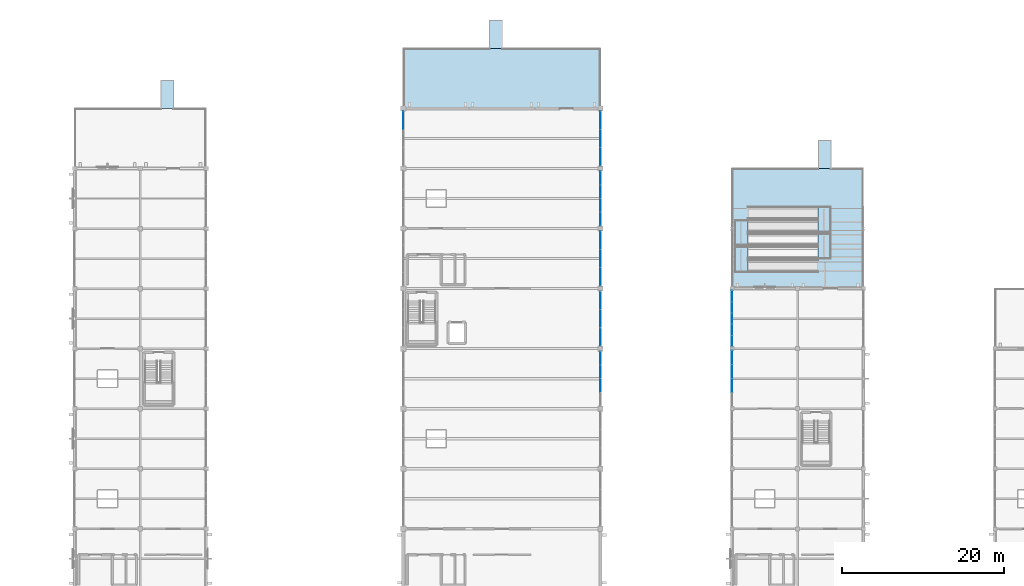
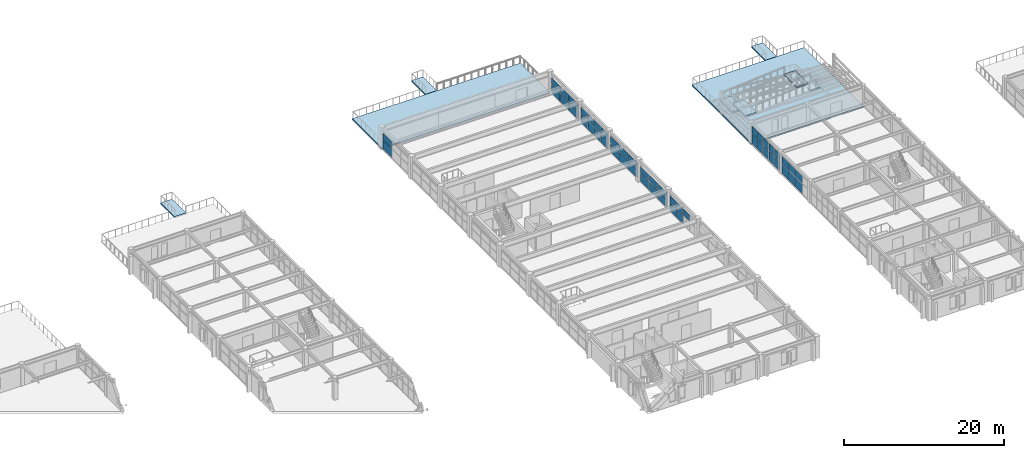
# One storey, part 75 of 93: 49 plates, 9 slabs, 8 elements without a shape of their own.
"""IFC4 building model written with IfcOpenShell, lengths in metres."""

from ifc_helpers import new_model, si_unit, direction, frame, origin, origin_2d, place, context, subcontext, project, spatial, polyline, rectangle, outline, extrude, material, layer, layer_set, type_object, element, aggregate, save


model = new_model("IFC4")

# Units and contexts
model_context = context("Model", 3, precision=1e-05, world=origin(), true_north=direction((0.0, 1.0)))
body_context = subcontext(model_context, "Body", "Model", "MODEL_VIEW")
ifc_project = project(units=[si_unit("LENGTHUNIT", "METRE"), si_unit("AREAUNIT", "SQUARE_METRE"), si_unit("VOLUMEUNIT", "CUBIC_METRE"), si_unit("PLANEANGLEUNIT", "RADIAN"), si_unit("MASSUNIT", "GRAM", prefix="KILO")], contexts=[model_context])

# Site, building, storey
site_placement = place(None, origin())
site = spatial("IfcSite", under=ifc_project, at=site_placement, CompositionType="ELEMENT")
building_placement = place(site_placement, origin())
building = spatial("IfcBuilding", under=site, at=building_placement, Name="Cimatlan Art Gallery", CompositionType="ELEMENT")
storey_placement = place(building_placement, frame((0.0, 0.0, 13.800048828125)))
storey = spatial("IfcBuildingStorey", under=building, at=storey_placement, Name="L03", CompositionType="ELEMENT", Elevation=13.800048828125)

# Curtain wall, plates
ifc_material_1 = material(Name="Anodised bronze unitised curtain wall")
curtain_wall_type_1 = type_object("IfcCurtainWallType", Name="CW-V-06892X02878-B5", PredefinedType="NOTDEFINED", material=ifc_material_1)
curtain_wall_1_placement = place(storey_placement, origin())
curtain_wall_1 = element("IfcCurtainWall", 1, at=curtain_wall_1_placement, inside=storey, type_object=curtain_wall_type_1, Name="CW-L03-14-08-W", PredefinedType="NOTDEFINED")
ifc_material_2 = material(Name="Low-E insulated double glazing", Category="glass")
ifc_layer_1 = layer(ifc_material_2, 0.028076171875)
ifc_layer_set_1 = layer_set([ifc_layer_1], Name="Low-E insulated double glazing")
plate_type_1 = type_object("IfcPlateType", Name="PNL-1320X1082", PredefinedType="CURTAIN_PANEL", material=ifc_layer_set_1)
plate_1_placement = place(storey_placement, frame((115.39990234375, 61.84326171875, 1.673828125), z_axis=(0.0, 0.0, 1.0), x_axis=(0.0, 1.0, 0.0)))
plate_1 = element("IfcPlate", 2, at=plate_1_placement, type_object=plate_type_1, Name="CW-L03-14-08-W-P12", PredefinedType="CURTAIN_PANEL", context=body_context, shape_type="SweptSolid", body=[
    extrude(rectangle(XDim=1.320068359375, YDim=0.028076171875, at=origin_2d()), origin(), (0.0, 0.0, 1.0), 1.08203125),
])
plate_2_placement = place(storey_placement, frame((115.39990234375, 63.2216796875, 1.673828125), z_axis=(0.0, 0.0, 1.0), x_axis=(0.0, 1.0, 0.0)))
plate_2 = element("IfcPlate", 3, at=plate_2_placement, type_object=plate_type_1, Name="CW-L03-14-08-W-P22", PredefinedType="CURTAIN_PANEL", context=body_context, shape_type="SweptSolid", body=[
    extrude(rectangle(XDim=1.320068359375, YDim=0.028076171875, at=origin_2d()), origin(), (0.0, 0.0, 1.0), 1.08203125),
])
plate_3_placement = place(storey_placement, frame((115.39990234375, 64.60009765625, 1.673828125), z_axis=(0.0, 0.0, 1.0), x_axis=(0.0, 1.0, 0.0)))
plate_3 = element("IfcPlate", 4, at=plate_3_placement, type_object=plate_type_1, Name="CW-L03-14-08-W-P32", PredefinedType="CURTAIN_PANEL", context=body_context, shape_type="SweptSolid", body=[
    extrude(rectangle(XDim=1.320068359375, YDim=0.028076171875, at=origin_2d()), origin(), (0.0, 0.0, 1.0), 1.08203125),
])
plate_4_placement = place(storey_placement, frame((115.39990234375, 65.978515625, 1.673828125), z_axis=(0.0, 0.0, 1.0), x_axis=(0.0, 1.0, 0.0)))
plate_4 = element("IfcPlate", 5, at=plate_4_placement, type_object=plate_type_1, Name="CW-L03-14-08-W-P42", PredefinedType="CURTAIN_PANEL", context=body_context, shape_type="SweptSolid", body=[
    extrude(rectangle(XDim=1.320068359375, YDim=0.028076171875, at=origin_2d()), origin(), (0.0, 0.0, 1.0), 1.08203125),
])
plate_5_placement = place(storey_placement, frame((115.39990234375, 67.356689453125, 1.673828125), z_axis=(0.0, 0.0, 1.0), x_axis=(0.0, 1.0, 0.0)))
plate_5 = element("IfcPlate", 6, at=plate_5_placement, type_object=plate_type_1, Name="CW-L03-14-08-W-P52", PredefinedType="CURTAIN_PANEL", context=body_context, shape_type="SweptSolid", body=[
    extrude(rectangle(XDim=1.320068359375, YDim=0.028076171875, at=origin_2d()), origin(), (0.0, 0.0, 1.0), 1.08203125),
])
ifc_layer_2 = layer(ifc_material_2, 0.028076171875)
ifc_layer_set_2 = layer_set([ifc_layer_2], Name="Low-E insulated double glazing")
plate_type_2 = type_object("IfcPlateType", Name="PNL-1320X1428", PredefinedType="CURTAIN_PANEL", material=ifc_layer_set_2)
plate_6_placement = place(storey_placement, frame((115.39990234375, 61.84326171875, 0.12158203125), z_axis=(0.0, 0.0, 1.0), x_axis=(0.0, 1.0, 0.0)))
plate_6 = element("IfcPlate", 7, at=plate_6_placement, type_object=plate_type_2, Name="CW-L03-14-08-W-P11", PredefinedType="CURTAIN_PANEL", context=body_context, shape_type="SweptSolid", body=[
    extrude(rectangle(XDim=1.320068359375, YDim=0.028076171875, at=origin_2d()), origin(), (0.0, 0.0, 1.0), 1.427978515625),
])
plate_7_placement = place(storey_placement, frame((115.39990234375, 63.2216796875, 0.12158203125), z_axis=(0.0, 0.0, 1.0), x_axis=(0.0, 1.0, 0.0)))
plate_7 = element("IfcPlate", 8, at=plate_7_placement, type_object=plate_type_2, Name="CW-L03-14-08-W-P21", PredefinedType="CURTAIN_PANEL", context=body_context, shape_type="SweptSolid", body=[
    extrude(rectangle(XDim=1.320068359375, YDim=0.028076171875, at=origin_2d()), origin(), (0.0, 0.0, 1.0), 1.427978515625),
])
plate_8_placement = place(storey_placement, frame((115.39990234375, 64.60009765625, 0.12158203125), z_axis=(0.0, 0.0, 1.0), x_axis=(0.0, 1.0, 0.0)))
plate_8 = element("IfcPlate", 9, at=plate_8_placement, type_object=plate_type_2, Name="CW-L03-14-08-W-P31", PredefinedType="CURTAIN_PANEL", context=body_context, shape_type="SweptSolid", body=[
    extrude(rectangle(XDim=1.320068359375, YDim=0.028076171875, at=origin_2d()), origin(), (0.0, 0.0, 1.0), 1.427978515625),
])
plate_9_placement = place(storey_placement, frame((115.39990234375, 65.978515625, 0.12158203125), z_axis=(0.0, 0.0, 1.0), x_axis=(0.0, 1.0, 0.0)))
plate_9 = element("IfcPlate", 10, at=plate_9_placement, type_object=plate_type_2, Name="CW-L03-14-08-W-P41", PredefinedType="CURTAIN_PANEL", context=body_context, shape_type="SweptSolid", body=[
    extrude(rectangle(XDim=1.320068359375, YDim=0.028076171875, at=origin_2d()), origin(), (0.0, 0.0, 1.0), 1.427978515625),
])
plate_10_placement = place(storey_placement, frame((115.39990234375, 67.356689453125, 0.12158203125), z_axis=(0.0, 0.0, 1.0), x_axis=(0.0, 1.0, 0.0)))
plate_10 = element("IfcPlate", 11, at=plate_10_placement, type_object=plate_type_2, Name="CW-L03-14-08-W-P51", PredefinedType="CURTAIN_PANEL", context=body_context, shape_type="SweptSolid", body=[
    extrude(rectangle(XDim=1.320068359375, YDim=0.028076171875, at=origin_2d()), origin(), (0.0, 0.0, 1.0), 1.427978515625),
])
aggregate(curtain_wall_1, [plate_6, plate_1, plate_7, plate_2, plate_8, plate_3, plate_9, plate_4, plate_10, plate_5])

curtain_wall_type_2 = type_object("IfcCurtainWallType", Name="CW-V-06742X02543-B4", PredefinedType="NOTDEFINED", material=ifc_material_1)
curtain_wall_2_placement = place(storey_placement, origin())
curtain_wall_2 = element("IfcCurtainWall", 12, at=curtain_wall_2_placement, inside=storey, type_object=curtain_wall_type_2, Name="CW-L03-11-07-E", PredefinedType="NOTDEFINED")
ifc_layer_3 = layer(ifc_material_2, 0.028076171875)
ifc_layer_set_3 = layer_set([ifc_layer_3], Name="Low-E insulated double glazing")
plate_type_3 = type_object("IfcPlateType", Name="PNL-1627X0935", PredefinedType="CURTAIN_PANEL", material=ifc_layer_set_3)
plate_11_placement = place(storey_placement, frame((99.199951171875, 59.728271484375, 1.486083984375), z_axis=(0.0, 0.0, 1.0), x_axis=(0.0, -1.0, 0.0)))
plate_11 = element("IfcPlate", 13, at=plate_11_placement, type_object=plate_type_3, Name="CW-L03-11-07-E-P12", PredefinedType="CURTAIN_PANEL", context=body_context, shape_type="SweptSolid", body=[
    extrude(rectangle(XDim=1.626953125, YDim=0.028076171875, at=origin_2d()), origin(), (0.0, 0.0, 1.0), 0.93505859375),
])
plate_12_placement = place(storey_placement, frame((99.199951171875, 58.042724609375, 1.486083984375), z_axis=(0.0, 0.0, 1.0), x_axis=(0.0, -1.0, 0.0)))
plate_12 = element("IfcPlate", 14, at=plate_12_placement, type_object=plate_type_3, Name="CW-L03-11-07-E-P22", PredefinedType="CURTAIN_PANEL", context=body_context, shape_type="SweptSolid", body=[
    extrude(rectangle(XDim=1.626953125, YDim=0.028076171875, at=origin_2d()), origin(), (0.0, 0.0, 1.0), 0.93505859375),
])
plate_13_placement = place(storey_placement, frame((99.199951171875, 56.357177734375, 1.486083984375), z_axis=(0.0, 0.0, 1.0), x_axis=(0.0, -1.0, 0.0)))
plate_13 = element("IfcPlate", 15, at=plate_13_placement, type_object=plate_type_3, Name="CW-L03-11-07-E-P32", PredefinedType="CURTAIN_PANEL", context=body_context, shape_type="SweptSolid", body=[
    extrude(rectangle(XDim=1.626953125, YDim=0.028076171875, at=origin_2d()), origin(), (0.0, 0.0, 1.0), 0.93505859375),
])

curtain_wall_type_3 = type_object("IfcCurtainWallType", Name="CW-V-06742X02588-B4", PredefinedType="NOTDEFINED", material=ifc_material_1)
curtain_wall_3_placement = place(storey_placement, origin())
curtain_wall_3 = element("IfcCurtainWall", 16, at=curtain_wall_3_placement, inside=storey, type_object=curtain_wall_type_3, Name="CW-L03-11-10-E", PredefinedType="NOTDEFINED")
ifc_layer_4 = layer(ifc_material_2, 0.028076171875)
ifc_layer_set_4 = layer_set([ifc_layer_4], Name="Low-E insulated double glazing")
plate_type_4 = type_object("IfcPlateType", Name="PNL-1627X0955", PredefinedType="CURTAIN_PANEL", material=ifc_layer_set_4)
plate_14_placement = place(storey_placement, frame((99.199951171875, 81.92822265625, 1.510986328125), z_axis=(0.0, 0.0, 1.0), x_axis=(0.0, -1.0, 0.0)))
plate_14 = element("IfcPlate", 17, at=plate_14_placement, type_object=plate_type_4, Name="CW-L03-11-10-E-P12", PredefinedType="CURTAIN_PANEL", context=body_context, shape_type="SweptSolid", body=[
    extrude(rectangle(XDim=1.626953125, YDim=0.028076171875, at=origin_2d()), origin(), (0.0, 0.0, 1.0), 0.955078125),
])
plate_15_placement = place(storey_placement, frame((99.199951171875, 80.24267578125, 1.510986328125), z_axis=(0.0, 0.0, 1.0), x_axis=(0.0, -1.0, 0.0)))
plate_15 = element("IfcPlate", 18, at=plate_15_placement, type_object=plate_type_4, Name="CW-L03-11-10-E-P22", PredefinedType="CURTAIN_PANEL", context=body_context, shape_type="SweptSolid", body=[
    extrude(rectangle(XDim=1.626953125, YDim=0.028076171875, at=origin_2d()), origin(), (0.0, 0.0, 1.0), 0.955078125),
])
plate_16_placement = place(storey_placement, frame((99.199951171875, 78.55712890625, 1.510986328125), z_axis=(0.0, 0.0, 1.0), x_axis=(0.0, -1.0, 0.0)))
plate_16 = element("IfcPlate", 19, at=plate_16_placement, type_object=plate_type_4, Name="CW-L03-11-10-E-P32", PredefinedType="CURTAIN_PANEL", context=body_context, shape_type="SweptSolid", body=[
    extrude(rectangle(XDim=1.626953125, YDim=0.028076171875, at=origin_2d()), origin(), (0.0, 0.0, 1.0), 0.955078125),
])
plate_17_placement = place(storey_placement, frame((99.199951171875, 76.871826171875, 1.510986328125), z_axis=(0.0, 0.0, 1.0), x_axis=(0.0, -1.0, 0.0)))
plate_17 = element("IfcPlate", 20, at=plate_17_placement, type_object=plate_type_4, Name="CW-L03-11-10-E-P42", PredefinedType="CURTAIN_PANEL", context=body_context, shape_type="SweptSolid", body=[
    extrude(rectangle(XDim=1.626953125, YDim=0.028076171875, at=origin_2d()), origin(), (0.0, 0.0, 1.0), 0.955078125),
])

# Plate
ifc_layer_5 = layer(ifc_material_2, 0.028076171875)
ifc_layer_set_5 = layer_set([ifc_layer_5], Name="Low-E insulated double glazing")
plate_type_5 = type_object("IfcPlateType", Name="PNL-1627X1240", PredefinedType="CURTAIN_PANEL", material=ifc_layer_set_5)
plate_18_placement = place(storey_placement, frame((99.199951171875, 59.728271484375, 0.1220703125), z_axis=(0.0, 0.0, 1.0), x_axis=(0.0, -1.0, 0.0)))
plate_18 = element("IfcPlate", 21, at=plate_18_placement, type_object=plate_type_5, Name="CW-L03-11-07-E-P11", PredefinedType="CURTAIN_PANEL", context=body_context, shape_type="SweptSolid", body=[
    extrude(rectangle(XDim=1.626953125, YDim=0.028076171875, at=origin_2d()), origin(), (0.0, 0.0, 1.0), 1.239990234375),
])

plate_19_placement = place(storey_placement, frame((99.199951171875, 58.042724609375, 0.1220703125), z_axis=(0.0, 0.0, 1.0), x_axis=(0.0, -1.0, 0.0)))
plate_19 = element("IfcPlate", 22, at=plate_19_placement, type_object=plate_type_5, Name="CW-L03-11-07-E-P21", PredefinedType="CURTAIN_PANEL", context=body_context, shape_type="SweptSolid", body=[
    extrude(rectangle(XDim=1.626953125, YDim=0.028076171875, at=origin_2d()), origin(), (0.0, 0.0, 1.0), 1.239990234375),
])

aggregate(curtain_wall_2, [plate_18, plate_11, plate_19, plate_12, plate_13])

ifc_layer_6 = layer(ifc_material_2, 0.028076171875)
ifc_layer_set_6 = layer_set([ifc_layer_6], Name="Low-E insulated double glazing")
plate_type_6 = type_object("IfcPlateType", Name="PNL-1627X1265", PredefinedType="CURTAIN_PANEL", material=ifc_layer_set_6)
plate_20_placement = place(storey_placement, frame((99.199951171875, 81.92822265625, 0.1220703125), z_axis=(0.0, 0.0, 1.0), x_axis=(0.0, -1.0, 0.0)))
plate_20 = element("IfcPlate", 23, at=plate_20_placement, type_object=plate_type_6, Name="CW-L03-11-10-E-P11", PredefinedType="CURTAIN_PANEL", context=body_context, shape_type="SweptSolid", body=[
    extrude(rectangle(XDim=1.626953125, YDim=0.028076171875, at=origin_2d()), origin(), (0.0, 0.0, 1.0), 1.264892578125),
])

plate_21_placement = place(storey_placement, frame((99.199951171875, 80.24267578125, 0.1220703125), z_axis=(0.0, 0.0, 1.0), x_axis=(0.0, -1.0, 0.0)))
plate_21 = element("IfcPlate", 24, at=plate_21_placement, type_object=plate_type_6, Name="CW-L03-11-10-E-P21", PredefinedType="CURTAIN_PANEL", context=body_context, shape_type="SweptSolid", body=[
    extrude(rectangle(XDim=1.626953125, YDim=0.028076171875, at=origin_2d()), origin(), (0.0, 0.0, 1.0), 1.264892578125),
])

plate_22_placement = place(storey_placement, frame((99.199951171875, 78.55712890625, 0.1220703125), z_axis=(0.0, 0.0, 1.0), x_axis=(0.0, -1.0, 0.0)))
plate_22 = element("IfcPlate", 25, at=plate_22_placement, type_object=plate_type_6, Name="CW-L03-11-10-E-P31", PredefinedType="CURTAIN_PANEL", context=body_context, shape_type="SweptSolid", body=[
    extrude(rectangle(XDim=1.626953125, YDim=0.028076171875, at=origin_2d()), origin(), (0.0, 0.0, 1.0), 1.264892578125),
])

plate_23_placement = place(storey_placement, frame((99.199951171875, 76.871826171875, 0.1220703125), z_axis=(0.0, 0.0, 1.0), x_axis=(0.0, -1.0, 0.0)))
plate_23 = element("IfcPlate", 26, at=plate_23_placement, type_object=plate_type_6, Name="CW-L03-11-10-E-P41", PredefinedType="CURTAIN_PANEL", context=body_context, shape_type="SweptSolid", body=[
    extrude(rectangle(XDim=1.626953125, YDim=0.028076171875, at=origin_2d()), origin(), (0.0, 0.0, 1.0), 1.264892578125),
])

aggregate(curtain_wall_3, [plate_20, plate_14, plate_21, plate_15, plate_22, plate_16, plate_23, plate_17])

# Curtain wall, plates
curtain_wall_type_4 = type_object("IfcCurtainWallType", Name="CW-V-06892X02893-B4", PredefinedType="NOTDEFINED", material=ifc_material_1)
curtain_wall_4_placement = place(storey_placement, origin())
curtain_wall_4 = element("IfcCurtainWall", 27, at=curtain_wall_4_placement, inside=storey, type_object=curtain_wall_type_4, Name="CW-L03-14-07-W", PredefinedType="NOTDEFINED")
ifc_layer_7 = layer(ifc_material_2, 0.028076171875)
ifc_layer_set_7 = layer_set([ifc_layer_7], Name="Low-E insulated double glazing")
plate_type_7 = type_object("IfcPlateType", Name="PNL-1665X1089", PredefinedType="CURTAIN_PANEL", material=ifc_layer_set_7)
plate_24_placement = place(storey_placement, frame((115.39990234375, 56.33837890625, 1.68212890625), z_axis=(0.0, 0.0, 1.0), x_axis=(0.0, 1.0, 0.0)))
plate_24 = element("IfcPlate", 28, at=plate_24_placement, type_object=plate_type_7, Name="CW-L03-14-07-W-P22", PredefinedType="CURTAIN_PANEL", context=body_context, shape_type="SweptSolid", body=[
    extrude(rectangle(XDim=1.6650390625, YDim=0.028076171875, at=origin_2d()), origin(), (0.0, 0.0, 1.0), 1.089111328125),
])
plate_25_placement = place(storey_placement, frame((115.39990234375, 58.0615234375, 1.68212890625), z_axis=(0.0, 0.0, 1.0), x_axis=(0.0, 1.0, 0.0)))
plate_25 = element("IfcPlate", 29, at=plate_25_placement, type_object=plate_type_7, Name="CW-L03-14-07-W-P32", PredefinedType="CURTAIN_PANEL", context=body_context, shape_type="SweptSolid", body=[
    extrude(rectangle(XDim=1.6650390625, YDim=0.028076171875, at=origin_2d()), origin(), (0.0, 0.0, 1.0), 1.089111328125),
])
plate_26_placement = place(storey_placement, frame((115.39990234375, 59.784423828125, 1.68212890625), z_axis=(0.0, 0.0, 1.0), x_axis=(0.0, 1.0, 0.0)))
plate_26 = element("IfcPlate", 30, at=plate_26_placement, type_object=plate_type_7, Name="CW-L03-14-07-W-P42", PredefinedType="CURTAIN_PANEL", context=body_context, shape_type="SweptSolid", body=[
    extrude(rectangle(XDim=1.6650390625, YDim=0.028076171875, at=origin_2d()), origin(), (0.0, 0.0, 1.0), 1.089111328125),
])
ifc_layer_8 = layer(ifc_material_2, 0.028076171875)
ifc_layer_set_8 = layer_set([ifc_layer_8], Name="Low-E insulated double glazing")
plate_type_8 = type_object("IfcPlateType", Name="PNL-1665X1436", PredefinedType="CURTAIN_PANEL", material=ifc_layer_set_8)
plate_27_placement = place(storey_placement, frame((115.39990234375, 56.33837890625, 0.1220703125), z_axis=(0.0, 0.0, 1.0), x_axis=(0.0, 1.0, 0.0)))
plate_27 = element("IfcPlate", 31, at=plate_27_placement, type_object=plate_type_8, Name="CW-L03-14-07-W-P21", PredefinedType="CURTAIN_PANEL", context=body_context, shape_type="SweptSolid", body=[
    extrude(rectangle(XDim=1.6650390625, YDim=0.028076171875, at=origin_2d()), origin(), (0.0, 0.0, 1.0), 1.43603515625),
])
plate_28_placement = place(storey_placement, frame((115.39990234375, 58.0615234375, 0.1220703125), z_axis=(0.0, 0.0, 1.0), x_axis=(0.0, 1.0, 0.0)))
plate_28 = element("IfcPlate", 32, at=plate_28_placement, type_object=plate_type_8, Name="CW-L03-14-07-W-P31", PredefinedType="CURTAIN_PANEL", context=body_context, shape_type="SweptSolid", body=[
    extrude(rectangle(XDim=1.6650390625, YDim=0.028076171875, at=origin_2d()), origin(), (0.0, 0.0, 1.0), 1.43603515625),
])
plate_29_placement = place(storey_placement, frame((115.39990234375, 59.784423828125, 0.1220703125), z_axis=(0.0, 0.0, 1.0), x_axis=(0.0, 1.0, 0.0)))
plate_29 = element("IfcPlate", 33, at=plate_29_placement, type_object=plate_type_8, Name="CW-L03-14-07-W-P41", PredefinedType="CURTAIN_PANEL", context=body_context, shape_type="SweptSolid", body=[
    extrude(rectangle(XDim=1.6650390625, YDim=0.028076171875, at=origin_2d()), origin(), (0.0, 0.0, 1.0), 1.43603515625),
])
aggregate(curtain_wall_4, [plate_27, plate_24, plate_28, plate_25, plate_29, plate_26])

curtain_wall_type_5 = type_object("IfcCurtainWallType", Name="CW-V-06742X02528-B3", PredefinedType="NOTDEFINED", material=ifc_material_1)
curtain_wall_5_placement = place(storey_placement, origin())
curtain_wall_5 = element("IfcCurtainWall", 34, at=curtain_wall_5_placement, inside=storey, type_object=curtain_wall_type_5, Name="CW-L03-11-08-E", PredefinedType="NOTDEFINED")
ifc_layer_9 = layer(ifc_material_2, 0.028076171875)
ifc_layer_set_9 = layer_set([ifc_layer_9], Name="Low-E insulated double glazing")
plate_type_9 = type_object("IfcPlateType", Name="PNL-2189X0928", PredefinedType="CURTAIN_PANEL", material=ifc_layer_set_9)
plate_30_placement = place(storey_placement, frame((99.199951171875, 66.847412109375, 1.47802734375), z_axis=(0.0, 0.0, 1.0), x_axis=(0.0, -1.0, 0.0)))
plate_30 = element("IfcPlate", 35, at=plate_30_placement, type_object=plate_type_9, Name="CW-L03-11-08-E-P12", PredefinedType="CURTAIN_PANEL", context=body_context, shape_type="SweptSolid", body=[
    extrude(rectangle(XDim=2.18896484375, YDim=0.028076171875, at=origin_2d()), origin(), (0.0, 0.0, 1.0), 0.927978515625),
])
plate_31_placement = place(storey_placement, frame((99.199951171875, 64.60009765625, 1.47802734375), z_axis=(0.0, 0.0, 1.0), x_axis=(0.0, -1.0, 0.0)))
plate_31 = element("IfcPlate", 36, at=plate_31_placement, type_object=plate_type_9, Name="CW-L03-11-08-E-P22", PredefinedType="CURTAIN_PANEL", context=body_context, shape_type="SweptSolid", body=[
    extrude(rectangle(XDim=2.18896484375, YDim=0.028076171875, at=origin_2d()), origin(), (0.0, 0.0, 1.0), 0.927978515625),
])
plate_32_placement = place(storey_placement, frame((99.199951171875, 62.352783203125, 1.47802734375), z_axis=(0.0, 0.0, 1.0), x_axis=(0.0, -1.0, 0.0)))
plate_32 = element("IfcPlate", 37, at=plate_32_placement, type_object=plate_type_9, Name="CW-L03-11-08-E-P32", PredefinedType="CURTAIN_PANEL", context=body_context, shape_type="SweptSolid", body=[
    extrude(rectangle(XDim=2.18896484375, YDim=0.028076171875, at=origin_2d()), origin(), (0.0, 0.0, 1.0), 0.927978515625),
])

# Curtain wall, plate
curtain_wall_type_6 = type_object("IfcCurtainWallType", Name="CW-V-06742X02573-B3", PredefinedType="NOTDEFINED", material=ifc_material_1)
curtain_wall_6_placement = place(storey_placement, origin())
curtain_wall_6 = element("IfcCurtainWall", 38, at=curtain_wall_6_placement, inside=storey, type_object=curtain_wall_type_6, Name="CW-L03-09-11-W", PredefinedType="NOTDEFINED")
ifc_layer_10 = layer(ifc_material_2, 0.028076171875)
ifc_layer_set_10 = layer_set([ifc_layer_10], Name="Low-E insulated double glazing")
plate_type_10 = type_object("IfcPlateType", Name="PNL-2189X0948", PredefinedType="CURTAIN_PANEL", material=ifc_layer_set_10)
plate_33_placement = place(storey_placement, frame((74.89990234375, 89.04736328125, 1.5029296875), z_axis=(0.0, 0.0, 1.0), x_axis=(0.0, 1.0, 0.0)))
plate_33 = element("IfcPlate", 39, at=plate_33_placement, type_object=plate_type_10, Name="CW-L03-09-11-W-P32", PredefinedType="CURTAIN_PANEL", context=body_context, shape_type="SweptSolid", body=[
    extrude(rectangle(XDim=2.18896484375, YDim=0.028076171875, at=origin_2d()), origin(), (0.0, 0.0, 1.0), 0.947998046875),
])

# Curtain wall, plates
curtain_wall_7_placement = place(storey_placement, origin())
curtain_wall_7 = element("IfcCurtainWall", 40, at=curtain_wall_7_placement, inside=storey, type_object=curtain_wall_type_6, Name="CW-L03-11-11-E", PredefinedType="NOTDEFINED")
plate_34_placement = place(storey_placement, frame((99.199951171875, 89.04736328125, 1.5029296875), z_axis=(0.0, 0.0, 1.0), x_axis=(0.0, -1.0, 0.0)))
plate_34 = element("IfcPlate", 41, at=plate_34_placement, type_object=plate_type_10, Name="CW-L03-11-11-E-P12", PredefinedType="CURTAIN_PANEL", context=body_context, shape_type="SweptSolid", body=[
    extrude(rectangle(XDim=2.18896484375, YDim=0.028076171875, at=origin_2d()), origin(), (0.0, 0.0, 1.0), 0.947998046875),
])
plate_35_placement = place(storey_placement, frame((99.199951171875, 86.800048828125, 1.5029296875), z_axis=(0.0, 0.0, 1.0), x_axis=(0.0, -1.0, 0.0)))
plate_35 = element("IfcPlate", 42, at=plate_35_placement, type_object=plate_type_10, Name="CW-L03-11-11-E-P22", PredefinedType="CURTAIN_PANEL", context=body_context, shape_type="SweptSolid", body=[
    extrude(rectangle(XDim=2.18896484375, YDim=0.028076171875, at=origin_2d()), origin(), (0.0, 0.0, 1.0), 0.947998046875),
])
plate_36_placement = place(storey_placement, frame((99.199951171875, 84.552734375, 1.5029296875), z_axis=(0.0, 0.0, 1.0), x_axis=(0.0, -1.0, 0.0)))
plate_36 = element("IfcPlate", 43, at=plate_36_placement, type_object=plate_type_10, Name="CW-L03-11-11-E-P32", PredefinedType="CURTAIN_PANEL", context=body_context, shape_type="SweptSolid", body=[
    extrude(rectangle(XDim=2.18896484375, YDim=0.028076171875, at=origin_2d()), origin(), (0.0, 0.0, 1.0), 0.947998046875),
])

curtain_wall_type_7 = type_object("IfcCurtainWallType", Name="CW-V-06742X02603-B3", PredefinedType="NOTDEFINED", material=ifc_material_1)
curtain_wall_8_placement = place(storey_placement, origin())
curtain_wall_8 = element("IfcCurtainWall", 44, at=curtain_wall_8_placement, inside=storey, type_object=curtain_wall_type_7, Name="CW-L03-11-09-E", PredefinedType="NOTDEFINED")
ifc_layer_11 = layer(ifc_material_2, 0.028076171875)
ifc_layer_set_11 = layer_set([ifc_layer_11], Name="Low-E insulated double glazing")
plate_type_11 = type_object("IfcPlateType", Name="PNL-2189X0961", PredefinedType="CURTAIN_PANEL", material=ifc_layer_set_11)
plate_37_placement = place(storey_placement, frame((99.199951171875, 74.247314453125, 1.519775390625), z_axis=(0.0, 0.0, 1.0), x_axis=(0.0, -1.0, 0.0)))
plate_37 = element("IfcPlate", 45, at=plate_37_placement, type_object=plate_type_11, Name="CW-L03-11-09-E-P12", PredefinedType="CURTAIN_PANEL", context=body_context, shape_type="SweptSolid", body=[
    extrude(rectangle(XDim=2.18896484375, YDim=0.028076171875, at=origin_2d()), origin(), (0.0, 0.0, 1.0), 0.9609375),
])
plate_38_placement = place(storey_placement, frame((99.199951171875, 72.0, 1.519775390625), z_axis=(0.0, 0.0, 1.0), x_axis=(0.0, -1.0, 0.0)))
plate_38 = element("IfcPlate", 46, at=plate_38_placement, type_object=plate_type_11, Name="CW-L03-11-09-E-P22", PredefinedType="CURTAIN_PANEL", context=body_context, shape_type="SweptSolid", body=[
    extrude(rectangle(XDim=2.18896484375, YDim=0.028076171875, at=origin_2d()), origin(), (0.0, 0.0, 1.0), 0.9609375),
])
plate_39_placement = place(storey_placement, frame((99.199951171875, 69.752685546875, 1.519775390625), z_axis=(0.0, 0.0, 1.0), x_axis=(0.0, -1.0, 0.0)))
plate_39 = element("IfcPlate", 47, at=plate_39_placement, type_object=plate_type_11, Name="CW-L03-11-09-E-P32", PredefinedType="CURTAIN_PANEL", context=body_context, shape_type="SweptSolid", body=[
    extrude(rectangle(XDim=2.18896484375, YDim=0.028076171875, at=origin_2d()), origin(), (0.0, 0.0, 1.0), 0.9609375),
])

# Plate
ifc_layer_12 = layer(ifc_material_2, 0.028076171875)
ifc_layer_set_12 = layer_set([ifc_layer_12], Name="Low-E insulated double glazing")
plate_type_12 = type_object("IfcPlateType", Name="PNL-2189X1232", PredefinedType="CURTAIN_PANEL", material=ifc_layer_set_12)
plate_40_placement = place(storey_placement, frame((99.199951171875, 66.847412109375, 0.121826171875), z_axis=(0.0, 0.0, 1.0), x_axis=(0.0, -1.0, 0.0)))
plate_40 = element("IfcPlate", 48, at=plate_40_placement, type_object=plate_type_12, Name="CW-L03-11-08-E-P11", PredefinedType="CURTAIN_PANEL", context=body_context, shape_type="SweptSolid", body=[
    extrude(rectangle(XDim=2.18896484375, YDim=0.028076171875, at=origin_2d()), origin(), (0.0, 0.0, 1.0), 1.23193359375),
])

plate_41_placement = place(storey_placement, frame((99.199951171875, 64.60009765625, 0.121826171875), z_axis=(0.0, 0.0, 1.0), x_axis=(0.0, -1.0, 0.0)))
plate_41 = element("IfcPlate", 49, at=plate_41_placement, type_object=plate_type_12, Name="CW-L03-11-08-E-P21", PredefinedType="CURTAIN_PANEL", context=body_context, shape_type="SweptSolid", body=[
    extrude(rectangle(XDim=2.18896484375, YDim=0.028076171875, at=origin_2d()), origin(), (0.0, 0.0, 1.0), 1.23193359375),
])

plate_42_placement = place(storey_placement, frame((99.199951171875, 62.352783203125, 0.121826171875), z_axis=(0.0, 0.0, 1.0), x_axis=(0.0, -1.0, 0.0)))
plate_42 = element("IfcPlate", 50, at=plate_42_placement, type_object=plate_type_12, Name="CW-L03-11-08-E-P31", PredefinedType="CURTAIN_PANEL", context=body_context, shape_type="SweptSolid", body=[
    extrude(rectangle(XDim=2.18896484375, YDim=0.028076171875, at=origin_2d()), origin(), (0.0, 0.0, 1.0), 1.23193359375),
])

aggregate(curtain_wall_5, [plate_40, plate_30, plate_41, plate_31, plate_42, plate_32])

ifc_layer_13 = layer(ifc_material_2, 0.028076171875)
ifc_layer_set_13 = layer_set([ifc_layer_13], Name="Low-E insulated double glazing")
plate_type_13 = type_object("IfcPlateType", Name="PNL-2189X1257", PredefinedType="CURTAIN_PANEL", material=ifc_layer_set_13)
plate_43_placement = place(storey_placement, frame((74.89990234375, 89.04736328125, 0.1220703125), z_axis=(0.0, 0.0, 1.0), x_axis=(0.0, 1.0, 0.0)))
plate_43 = element("IfcPlate", 51, at=plate_43_placement, type_object=plate_type_13, Name="CW-L03-09-11-W-P31", PredefinedType="CURTAIN_PANEL", context=body_context, shape_type="SweptSolid", body=[
    extrude(rectangle(XDim=2.18896484375, YDim=0.028076171875, at=origin_2d()), origin(), (0.0, 0.0, 1.0), 1.257080078125),
])

aggregate(curtain_wall_6, [plate_43, plate_33])

plate_44_placement = place(storey_placement, frame((99.199951171875, 89.04736328125, 0.1220703125), z_axis=(0.0, 0.0, 1.0), x_axis=(0.0, -1.0, 0.0)))
plate_44 = element("IfcPlate", 52, at=plate_44_placement, type_object=plate_type_13, Name="CW-L03-11-11-E-P11", PredefinedType="CURTAIN_PANEL", context=body_context, shape_type="SweptSolid", body=[
    extrude(rectangle(XDim=2.18896484375, YDim=0.028076171875, at=origin_2d()), origin(), (0.0, 0.0, 1.0), 1.257080078125),
])

plate_45_placement = place(storey_placement, frame((99.199951171875, 86.800048828125, 0.1220703125), z_axis=(0.0, 0.0, 1.0), x_axis=(0.0, -1.0, 0.0)))
plate_45 = element("IfcPlate", 53, at=plate_45_placement, type_object=plate_type_13, Name="CW-L03-11-11-E-P21", PredefinedType="CURTAIN_PANEL", context=body_context, shape_type="SweptSolid", body=[
    extrude(rectangle(XDim=2.18896484375, YDim=0.028076171875, at=origin_2d()), origin(), (0.0, 0.0, 1.0), 1.257080078125),
])

plate_46_placement = place(storey_placement, frame((99.199951171875, 84.552734375, 0.1220703125), z_axis=(0.0, 0.0, 1.0), x_axis=(0.0, -1.0, 0.0)))
plate_46 = element("IfcPlate", 54, at=plate_46_placement, type_object=plate_type_13, Name="CW-L03-11-11-E-P31", PredefinedType="CURTAIN_PANEL", context=body_context, shape_type="SweptSolid", body=[
    extrude(rectangle(XDim=2.18896484375, YDim=0.028076171875, at=origin_2d()), origin(), (0.0, 0.0, 1.0), 1.257080078125),
])

aggregate(curtain_wall_7, [plate_44, plate_34, plate_45, plate_35, plate_46, plate_36])

ifc_layer_14 = layer(ifc_material_2, 0.028076171875)
ifc_layer_set_14 = layer_set([ifc_layer_14], Name="Low-E insulated double glazing")
plate_type_14 = type_object("IfcPlateType", Name="PNL-2189X1274", PredefinedType="CURTAIN_PANEL", material=ifc_layer_set_14)
plate_47_placement = place(storey_placement, frame((99.199951171875, 74.247314453125, 0.121826171875), z_axis=(0.0, 0.0, 1.0), x_axis=(0.0, -1.0, 0.0)))
plate_47 = element("IfcPlate", 55, at=plate_47_placement, type_object=plate_type_14, Name="CW-L03-11-09-E-P11", PredefinedType="CURTAIN_PANEL", context=body_context, shape_type="SweptSolid", body=[
    extrude(rectangle(XDim=2.18896484375, YDim=0.028076171875, at=origin_2d()), origin(), (0.0, 0.0, 1.0), 1.27392578125),
])

plate_48_placement = place(storey_placement, frame((99.199951171875, 72.0, 0.121826171875), z_axis=(0.0, 0.0, 1.0), x_axis=(0.0, -1.0, 0.0)))
plate_48 = element("IfcPlate", 56, at=plate_48_placement, type_object=plate_type_14, Name="CW-L03-11-09-E-P21", PredefinedType="CURTAIN_PANEL", context=body_context, shape_type="SweptSolid", body=[
    extrude(rectangle(XDim=2.18896484375, YDim=0.028076171875, at=origin_2d()), origin(), (0.0, 0.0, 1.0), 1.27392578125),
])

plate_49_placement = place(storey_placement, frame((99.199951171875, 69.752685546875, 0.121826171875), z_axis=(0.0, 0.0, 1.0), x_axis=(0.0, -1.0, 0.0)))
plate_49 = element("IfcPlate", 57, at=plate_49_placement, type_object=plate_type_14, Name="CW-L03-11-09-E-P31", PredefinedType="CURTAIN_PANEL", context=body_context, shape_type="SweptSolid", body=[
    extrude(rectangle(XDim=2.18896484375, YDim=0.028076171875, at=origin_2d()), origin(), (0.0, 0.0, 1.0), 1.27392578125),
])

aggregate(curtain_wall_8, [plate_47, plate_37, plate_48, plate_38, plate_49, plate_39])

# Slabs
ifc_material_3 = material(Name="Concrete C35/45", Category="concrete")
ifc_layer_15 = layer(ifc_material_3, 0.199951171875)
ifc_layer_set_15 = layer_set([ifc_layer_15], Name="Concrete C35/45")
slab_type_1 = type_object("IfcSlabType", Name="SLB-RMP-LAND-200", PredefinedType="LANDING", material=ifc_layer_set_15)
slab_1_placement = place(storey_placement, frame((0.0, 0.0, -0.199951171875)))
element("IfcSlab", 58, at=slab_1_placement, inside=storey, type_object=slab_type_1, Name="RMP-TER-B2-LND5", PredefinedType="LANDING", context=body_context, shape_type="SweptSolid", body=[
    extrude(outline(polyline([(44.989990234375, 90.5), (46.639892578125, 90.5), (46.639892578125, 94.0), (44.989990234375, 94.0), (44.989990234375, 90.5)])), origin(), (0.0, 0.0, 1.0), 0.199951171875),
])
slab_2_placement = place(storey_placement, frame((0.0, 0.0, -0.199951171875)))
element("IfcSlab", 59, at=slab_2_placement, inside=storey, type_object=slab_type_1, Name="RMP-TER-B3-LND5", PredefinedType="LANDING", context=body_context, shape_type="SweptSolid", body=[
    extrude(outline(polyline([(85.489990234375, 97.89990234375), (87.139892578125, 97.89990234375), (87.139892578125, 101.39990234375), (85.489990234375, 101.39990234375), (85.489990234375, 97.89990234375)])), origin(), (0.0, 0.0, 1.0), 0.199951171875),
])
slab_3_placement = place(storey_placement, frame((0.0, 0.0, -0.199951171875)))
element("IfcSlab", 60, at=slab_3_placement, inside=storey, type_object=slab_type_1, Name="RMP-TER-B4-LND5", PredefinedType="LANDING", context=body_context, shape_type="SweptSolid", body=[
    extrude(outline(polyline([(125.989990234375, 83.10009765625), (127.639892578125, 83.10009765625), (127.639892578125, 86.60009765625), (125.989990234375, 86.60009765625), (125.989990234375, 83.10009765625)])), origin(), (0.0, 0.0, 1.0), 0.199951171875),
])
slab_4_placement = place(storey_placement, frame((0.0, 0.0, 0.52001953125)))
element("IfcSlab", 61, at=slab_4_placement, inside=storey, type_object=slab_type_1, Name="RMP-TER-U4-LND1", PredefinedType="LANDING", context=body_context, shape_type="SweptSolid", body=[
    extrude(outline(polyline([(125.989990234375, 75.25), (127.590087890625, 75.25), (127.590087890625, 78.39990234375), (125.989990234375, 78.39990234375), (125.989990234375, 75.25)])), origin(), (0.0, 0.0, 1.0), 0.199951171875),
])
slab_5_placement = place(storey_placement, frame((0.0, 0.0, 1.239990234375)))
element("IfcSlab", 62, at=slab_5_placement, inside=storey, type_object=slab_type_1, Name="RMP-TER-U4-LND2", PredefinedType="LANDING", context=body_context, shape_type="SweptSolid", body=[
    extrude(outline(polyline([(115.75, 73.60009765625), (117.35009765625, 73.60009765625), (117.35009765625, 76.75), (115.75, 76.75), (115.75, 73.60009765625)])), origin(), (0.0, 0.0, 1.0), 0.199951171875),
])
slab_6_placement = place(storey_placement, frame((0.0, 0.0, 1.9599609375)))
element("IfcSlab", 63, at=slab_6_placement, inside=storey, type_object=slab_type_1, Name="RMP-TER-U4-LND3", PredefinedType="LANDING", context=body_context, shape_type="SweptSolid", body=[
    extrude(outline(polyline([(125.989990234375, 71.949951171875), (127.590087890625, 71.949951171875), (127.590087890625, 75.10009765625), (125.989990234375, 75.10009765625), (125.989990234375, 71.949951171875)])), origin(), (0.0, 0.0, 1.0), 0.199951171875),
])
slab_7_placement = place(storey_placement, frame((0.0, 0.0, 2.679931640625)))
element("IfcSlab", 64, at=slab_7_placement, inside=storey, type_object=slab_type_1, Name="RMP-TER-U4-LND4", PredefinedType="LANDING", context=body_context, shape_type="SweptSolid", body=[
    extrude(outline(polyline([(115.75, 70.300048828125), (117.35009765625, 70.300048828125), (117.35009765625, 73.449951171875), (115.75, 73.449951171875), (115.75, 70.300048828125)])), origin(), (0.0, 0.0, 1.0), 0.199951171875),
])
ifc_layer_16 = layer(ifc_material_3, 0.219970703125)
ifc_layer_set_16 = layer_set([ifc_layer_16], Name="Concrete C35/45")
slab_type_2 = type_object("IfcSlabType", Name="SLB-TER-220", PredefinedType="FLOOR", material=ifc_layer_set_16)
slab_8_placement = place(storey_placement, frame((0.0, 0.0, -0.219970703125)))
element("IfcSlab", 65, at=slab_8_placement, inside=storey, type_object=slab_type_2, Name="TER-L03-B3", PredefinedType="FLOOR", context=body_context, shape_type="SweptSolid", body=[
    extrude(outline(polyline([(74.89990234375, 90.5), (99.199951171875, 90.5), (99.199951171875, 97.89990234375), (74.89990234375, 97.89990234375), (74.89990234375, 90.5)])), origin(), (0.0, 0.0, 1.0), 0.219970703125),
])
slab_9_placement = place(storey_placement, frame((0.0, 0.0, -0.219970703125)))
element("IfcSlab", 66, at=slab_9_placement, inside=storey, type_object=slab_type_2, Name="TER-L03-B4", PredefinedType="FLOOR", context=body_context, shape_type="SweptSolid", body=[
    extrude(outline(polyline([(115.39990234375, 68.300048828125), (131.60009765625, 68.300048828125), (131.60009765625, 83.10009765625), (115.39990234375, 83.10009765625), (115.39990234375, 68.300048828125)])), origin(), (0.0, 0.0, 1.0), 0.219970703125),
])

save(model, "model.ifc")
